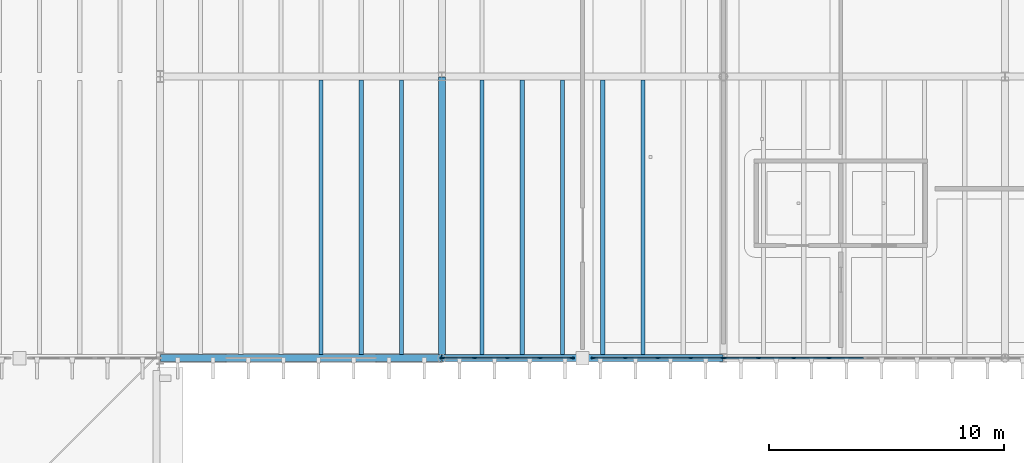
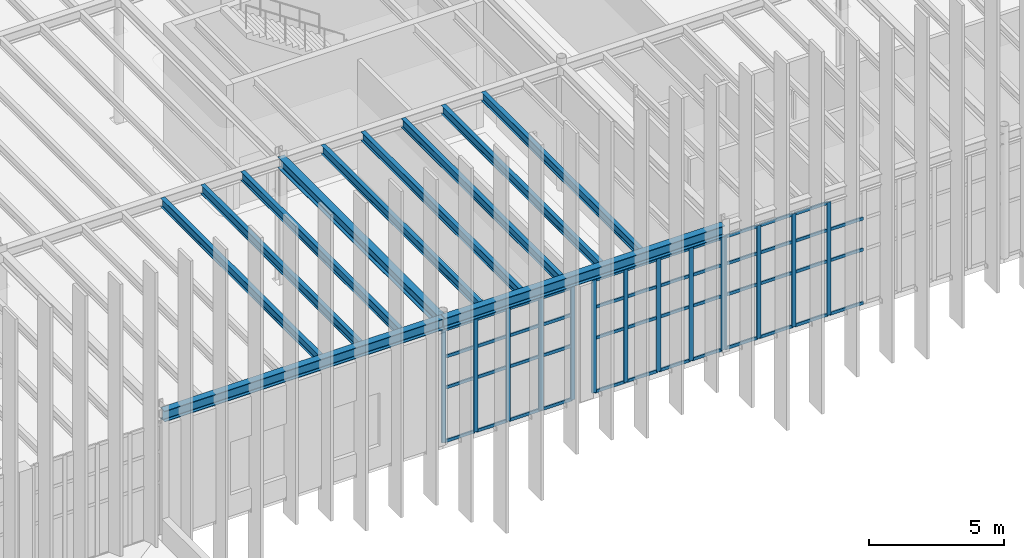
# One storey, part 17 of 83: 61 members, 11 beams, 3 elements without a shape of their own.
"""IFC4 building model written with IfcOpenShell, lengths in metres."""

from ifc_helpers import new_model, si_unit, direction, frame, origin, origin_2d, place, context, subcontext, project, spatial, rectangle, i_section, extrude, material, layer, layer_set, material_profile, profile_set, type_object, element, aggregate, save


model = new_model("IFC4")

# Units and contexts
model_context = context("Model", 3, precision=1e-05, world=origin(), true_north=direction((0.0, 1.0)))
body_context = subcontext(model_context, "Body", "Model", "MODEL_VIEW")
ifc_project = project(units=[si_unit("LENGTHUNIT", "METRE"), si_unit("AREAUNIT", "SQUARE_METRE"), si_unit("VOLUMEUNIT", "CUBIC_METRE"), si_unit("PLANEANGLEUNIT", "RADIAN"), si_unit("MASSUNIT", "GRAM", prefix="KILO")], contexts=[model_context])

# Site, building, storey
site_placement = place(None, origin())
site = spatial("IfcSite", under=ifc_project, at=site_placement, CompositionType="ELEMENT")
building_placement = place(site_placement, origin())
building = spatial("IfcBuilding", under=site, at=building_placement, Name="Zlatogorsky Bluff Art Gallery", CompositionType="ELEMENT")
storey_placement = place(building_placement, frame((0.0, 0.0, 10.800048828125)))
storey = spatial("IfcBuildingStorey", under=building, at=storey_placement, Name="L02", CompositionType="ELEMENT", Elevation=10.800048828125)

# Beams
ifc_material_1 = material(Name="Steel S355", Category="steel")
ifc_material_profile_1 = material_profile(ifc_material_1, i_section(OverallWidth=0.300048828125, OverallDepth=0.489990234375, WebThickness=0.011962890625, FlangeThickness=0.02294921875, FilletRadius=0.027099609375, at=origin_2d()), Name="HEA 500")
ifc_profile_set_1 = profile_set([ifc_material_profile_1], Name="Steel S355")
beam_type_1 = type_object("IfcBeamType", Name="Beam BM-07 HEA 500", PredefinedType="BEAM", material=ifc_profile_set_1)
for number, where, z_axis, x_axis, name in (
    (1, (24.014892578125, 84.0, 5.445068359375), (1.0, 0.0, 0.0), (0.0, 1.0, 0.0), "Primary girder BM-07 L02 C-D/9"),
    (2, (36.014892578125, 84.0, 5.445068359375), (1.0, 0.0, 0.0), (0.0, 1.0, 0.0), "Primary girder BM-07 L02 D-E/9"),
    (3, (36.0, 84.014892578125, 5.445068359375), (0.0, 1.0, 0.0), (-1.0, 0.0, 0.0), "Primary girder BM-07 L02 D/9-10"),
):
    element("IfcBeam", number, at=place(storey_placement, frame(where, z_axis=z_axis, x_axis=x_axis)), inside=storey, type_object=beam_type_1, Name=name, PredefinedType="BEAM", context=body_context, shape_type="SweptSolid", body=[
        extrude(i_section(OverallWidth=0.300048828125, OverallDepth=0.489990234375, WebThickness=0.011962890625, FlangeThickness=0.02294921875, FilletRadius=0.027099609375, at=origin_2d()), origin(), (0.0, 0.0, 1.0), 11.97021484375),
    ])
ifc_material_profile_2 = material_profile(ifc_material_1, i_section(OverallWidth=0.179931640625, OverallDepth=0.39990234375, WebThickness=0.008544921875, FlangeThickness=0.013427734375, FilletRadius=0.02099609375, at=origin_2d()), Name="IPE 400")
ifc_profile_set_2 = profile_set([ifc_material_profile_2], Name="Steel S355")
beam_type_2 = type_object("IfcBeamType", Name="Beam JS-05 IPE 400", PredefinedType="JOIST", material=ifc_profile_set_2)
for number, where, z_axis, x_axis, name in (
    (4, (30.857177734375, 84.14990234375, 5.489990234375), (0.0, 1.0, 0.0), (-1.0, 0.0, 0.0), "Composite floor joist JS-05 L02 02.08.4"),
    (5, (32.571533203125, 84.14990234375, 5.489990234375), (0.0, 1.0, 0.0), (-1.0, 0.0, 0.0), "Composite floor joist JS-05 L02 02.08.5"),
    (6, (34.28564453125, 84.14990234375, 5.489990234375), (0.0, 1.0, 0.0), (-1.0, 0.0, 0.0), "Composite floor joist JS-05 L02 02.08.6"),
    (7, (37.71435546875, 84.14990234375, 5.489990234375), (0.0, 1.0, 0.0), (-1.0, 0.0, 0.0), "Composite floor joist JS-05 L02 03.08.1"),
    (8, (39.428466796875, 84.14990234375, 5.489990234375), (0.0, 1.0, 0.0), (-1.0, 0.0, 0.0), "Composite floor joist JS-05 L02 03.08.2"),
    (9, (41.142822265625, 84.14990234375, 5.489990234375), (0.0, 1.0, 0.0), (-1.0, 0.0, 0.0), "Composite floor joist JS-05 L02 03.08.3"),
    (10, (42.857177734375, 84.14990234375, 5.489990234375), (0.0, 1.0, 0.0), (-1.0, 0.0, 0.0), "Composite floor joist JS-05 L02 03.08.4"),
    (11, (44.571533203125, 84.14990234375, 5.489990234375), (0.0, 1.0, 0.0), (-1.0, 0.0, 0.0), "Composite floor joist JS-05 L02 03.08.5"),
):
    element("IfcBeam", number, at=place(storey_placement, frame(where, z_axis=z_axis, x_axis=x_axis)), inside=storey, type_object=beam_type_2, Name=name, PredefinedType="JOIST", context=body_context, shape_type="SweptSolid", body=[
        extrude(i_section(OverallWidth=0.179931640625, OverallDepth=0.39990234375, WebThickness=0.008544921875, FlangeThickness=0.013427734375, FilletRadius=0.02099609375, at=origin_2d()), origin(), (0.0, 0.0, 1.0), 11.7001953125),
    ])

# Curtain wall, members
ifc_material_2 = material(Name="Anodised Bronze Aluminium and Low-Iron Triple Glazing", Category="aluminium")
ifc_layer = layer(ifc_material_2, 0.179931640625)
ifc_layer_set = layer_set([ifc_layer], Name="Curtain Wall CW-01")
curtain_wall_type = type_object("IfcCurtainWallType", Name="Curtain Wall CW-01", PredefinedType="USERDEFINED", material=ifc_layer_set)
curtain_wall_1_placement = place(storey_placement, origin())
curtain_wall_1 = element("IfcCurtainWall", 12, at=curtain_wall_1_placement, inside=storey, type_object=curtain_wall_type, Name="Unitised curtain wall CW-01 L02 S 3.8-A", ObjectType="CURTAIN WALL", PredefinedType="USERDEFINED")
ifc_material_3 = material(Name="Anodised Bronze Aluminium", Category="aluminium")
ifc_material_profile_3 = material_profile(ifc_material_3, rectangle(XDim=0.06494140625, YDim=0.179931640625, at=origin_2d()), Name="ALU MULLION 65x180")
ifc_profile_set_3 = profile_set([ifc_material_profile_3], Name="Anodised Bronze Aluminium")
member_type_1 = type_object("IfcMemberType", Name="Curtain Mullion ML-01", PredefinedType="MULLION", material=ifc_profile_set_3)
member_1_placement = place(storey_placement, frame((36.032470703125, 84.0, 0.0), z_axis=(0.0, 0.0, 1.0), x_axis=(0.0, 1.0, 0.0)))
member_1 = element("IfcMember", 13, at=member_1_placement, type_object=member_type_1, Name="CW-01 mullion 1", PredefinedType="MULLION", context=body_context, shape_type="SweptSolid", body=[
    extrude(rectangle(XDim=0.06494140625, YDim=0.179931640625, at=origin_2d()), origin(), (0.0, 0.0, 1.0), 5.10986328125),
])
member_2_placement = place(storey_placement, frame((37.39501953125, 84.0, 0.0), z_axis=(0.0, 0.0, 1.0), x_axis=(0.0, 1.0, 0.0)))
member_2 = element("IfcMember", 14, at=member_2_placement, type_object=member_type_1, Name="CW-01 mullion 2", PredefinedType="MULLION", context=body_context, shape_type="SweptSolid", body=[
    extrude(rectangle(XDim=0.06494140625, YDim=0.179931640625, at=origin_2d()), origin(), (0.0, 0.0, 1.0), 5.10986328125),
])
member_3_placement = place(storey_placement, frame((38.7900390625, 84.0, 0.0), z_axis=(0.0, 0.0, 1.0), x_axis=(0.0, 1.0, 0.0)))
member_3 = element("IfcMember", 15, at=member_3_placement, type_object=member_type_1, Name="CW-01 mullion 3", PredefinedType="MULLION", context=body_context, shape_type="SweptSolid", body=[
    extrude(rectangle(XDim=0.06494140625, YDim=0.179931640625, at=origin_2d()), origin(), (0.0, 0.0, 1.0), 5.10986328125),
])
member_4_placement = place(storey_placement, frame((40.18505859375, 84.0, 0.0), z_axis=(0.0, 0.0, 1.0), x_axis=(0.0, 1.0, 0.0)))
member_4 = element("IfcMember", 16, at=member_4_placement, type_object=member_type_1, Name="CW-01 mullion 4", PredefinedType="MULLION", context=body_context, shape_type="SweptSolid", body=[
    extrude(rectangle(XDim=0.06494140625, YDim=0.179931640625, at=origin_2d()), origin(), (0.0, 0.0, 1.0), 5.10986328125),
])
member_5_placement = place(storey_placement, frame((41.547607421875, 84.0, 0.0), z_axis=(0.0, 0.0, 1.0), x_axis=(0.0, 1.0, 0.0)))
member_5 = element("IfcMember", 17, at=member_5_placement, type_object=member_type_1, Name="CW-01 mullion 5", PredefinedType="MULLION", context=body_context, shape_type="SweptSolid", body=[
    extrude(rectangle(XDim=0.06494140625, YDim=0.179931640625, at=origin_2d()), origin(), (0.0, 0.0, 1.0), 5.10986328125),
])

curtain_wall_2_placement = place(storey_placement, origin())
curtain_wall_2 = element("IfcCurtainWall", 18, at=curtain_wall_2_placement, inside=storey, type_object=curtain_wall_type, Name="Unitised curtain wall CW-01 L02 S 3.8-B", ObjectType="CURTAIN WALL", PredefinedType="USERDEFINED")
member_6_placement = place(storey_placement, frame((42.452392578125, 84.0, 0.0), z_axis=(0.0, 0.0, 1.0), x_axis=(0.0, 1.0, 0.0)))
member_6 = element("IfcMember", 19, at=member_6_placement, type_object=member_type_1, Name="CW-01 mullion 1", PredefinedType="MULLION", context=body_context, shape_type="SweptSolid", body=[
    extrude(rectangle(XDim=0.06494140625, YDim=0.179931640625, at=origin_2d()), origin(), (0.0, 0.0, 1.0), 5.10986328125),
])
member_7_placement = place(storey_placement, frame((43.81494140625, 84.0, 0.0), z_axis=(0.0, 0.0, 1.0), x_axis=(0.0, 1.0, 0.0)))
member_7 = element("IfcMember", 20, at=member_7_placement, type_object=member_type_1, Name="CW-01 mullion 2", PredefinedType="MULLION", context=body_context, shape_type="SweptSolid", body=[
    extrude(rectangle(XDim=0.06494140625, YDim=0.179931640625, at=origin_2d()), origin(), (0.0, 0.0, 1.0), 5.10986328125),
])
member_8_placement = place(storey_placement, frame((45.2099609375, 84.0, 0.0), z_axis=(0.0, 0.0, 1.0), x_axis=(0.0, 1.0, 0.0)))
member_8 = element("IfcMember", 21, at=member_8_placement, type_object=member_type_1, Name="CW-01 mullion 3", PredefinedType="MULLION", context=body_context, shape_type="SweptSolid", body=[
    extrude(rectangle(XDim=0.06494140625, YDim=0.179931640625, at=origin_2d()), origin(), (0.0, 0.0, 1.0), 5.10986328125),
])
member_9_placement = place(storey_placement, frame((46.60498046875, 84.0, 0.0), z_axis=(0.0, 0.0, 1.0), x_axis=(0.0, 1.0, 0.0)))
member_9 = element("IfcMember", 22, at=member_9_placement, type_object=member_type_1, Name="CW-01 mullion 4", PredefinedType="MULLION", context=body_context, shape_type="SweptSolid", body=[
    extrude(rectangle(XDim=0.06494140625, YDim=0.179931640625, at=origin_2d()), origin(), (0.0, 0.0, 1.0), 5.10986328125),
])
member_10_placement = place(storey_placement, frame((47.967529296875, 84.0, 0.0), z_axis=(0.0, 0.0, 1.0), x_axis=(0.0, 1.0, 0.0)))
member_10 = element("IfcMember", 23, at=member_10_placement, type_object=member_type_1, Name="CW-01 mullion 5", PredefinedType="MULLION", context=body_context, shape_type="SweptSolid", body=[
    extrude(rectangle(XDim=0.06494140625, YDim=0.179931640625, at=origin_2d()), origin(), (0.0, 0.0, 1.0), 5.10986328125),
])

curtain_wall_3_placement = place(storey_placement, origin())
curtain_wall_3 = element("IfcCurtainWall", 24, at=curtain_wall_3_placement, inside=storey, type_object=curtain_wall_type, Name="Unitised curtain wall CW-01 L02 S 4.8", ObjectType="CURTAIN WALL", PredefinedType="USERDEFINED")
member_11_placement = place(storey_placement, frame((48.032470703125, 84.0, 0.0), z_axis=(0.0, 0.0, 1.0), x_axis=(0.0, 1.0, 0.0)))
member_11 = element("IfcMember", 25, at=member_11_placement, type_object=member_type_1, Name="CW-01 mullion 1", PredefinedType="MULLION", context=body_context, shape_type="SweptSolid", body=[
    extrude(rectangle(XDim=0.06494140625, YDim=0.179931640625, at=origin_2d()), origin(), (0.0, 0.0, 1.0), 5.10986328125),
])
member_12_placement = place(storey_placement, frame((49.5, 84.0, 0.0), z_axis=(0.0, 0.0, 1.0), x_axis=(0.0, 1.0, 0.0)))
member_12 = element("IfcMember", 26, at=member_12_placement, type_object=member_type_1, Name="CW-01 mullion 2", PredefinedType="MULLION", context=body_context, shape_type="SweptSolid", body=[
    extrude(rectangle(XDim=0.06494140625, YDim=0.179931640625, at=origin_2d()), origin(), (0.0, 0.0, 1.0), 5.10986328125),
])
member_13_placement = place(storey_placement, frame((51.0, 84.0, 0.0), z_axis=(0.0, 0.0, 1.0), x_axis=(0.0, 1.0, 0.0)))
member_13 = element("IfcMember", 27, at=member_13_placement, type_object=member_type_1, Name="CW-01 mullion 3", PredefinedType="MULLION", context=body_context, shape_type="SweptSolid", body=[
    extrude(rectangle(XDim=0.06494140625, YDim=0.179931640625, at=origin_2d()), origin(), (0.0, 0.0, 1.0), 5.10986328125),
])
member_14_placement = place(storey_placement, frame((52.5, 84.0, 0.0), z_axis=(0.0, 0.0, 1.0), x_axis=(0.0, 1.0, 0.0)))
member_14 = element("IfcMember", 28, at=member_14_placement, type_object=member_type_1, Name="CW-01 mullion 4", PredefinedType="MULLION", context=body_context, shape_type="SweptSolid", body=[
    extrude(rectangle(XDim=0.06494140625, YDim=0.179931640625, at=origin_2d()), origin(), (0.0, 0.0, 1.0), 5.10986328125),
])

# Member
ifc_material_profile_4 = material_profile(ifc_material_3, rectangle(XDim=0.06494140625, YDim=0.139892578125, at=origin_2d()), Name="ALU TRANSOM 65x140")
ifc_profile_set_4 = profile_set([ifc_material_profile_4], Name="Anodised Bronze Aluminium")
member_type_2 = type_object("IfcMemberType", Name="Curtain Transom TR-01", PredefinedType="USERDEFINED", material=ifc_profile_set_4)
member_15_placement = place(storey_placement, frame((36.06494140625, 84.0, 0.032470703125), z_axis=(1.0, 0.0, 0.0), x_axis=(0.0, 1.0, 0.0)))
member_15 = element("IfcMember", 29, at=member_15_placement, type_object=member_type_2, Name="CW-01 transom 1.1", ObjectType="TRANSOM", PredefinedType="USERDEFINED", context=body_context, shape_type="SweptSolid", body=[
    extrude(rectangle(XDim=0.06494140625, YDim=0.139892578125, at=origin_2d()), origin(), (0.0, 0.0, 1.0), 1.297607421875),
])

member_16_placement = place(storey_placement, frame((36.06494140625, 84.0, 2.449951171875), z_axis=(1.0, 0.0, 0.0), x_axis=(0.0, 1.0, 0.0)))
member_16 = element("IfcMember", 30, at=member_16_placement, type_object=member_type_2, Name="CW-01 transom 1.2", ObjectType="TRANSOM", PredefinedType="USERDEFINED", context=body_context, shape_type="SweptSolid", body=[
    extrude(rectangle(XDim=0.06494140625, YDim=0.139892578125, at=origin_2d()), origin(), (0.0, 0.0, 1.0), 1.297607421875),
])

member_17_placement = place(storey_placement, frame((36.06494140625, 84.0, 3.849853515625), z_axis=(1.0, 0.0, 0.0), x_axis=(0.0, 1.0, 0.0)))
member_17 = element("IfcMember", 31, at=member_17_placement, type_object=member_type_2, Name="CW-01 transom 1.3", ObjectType="TRANSOM", PredefinedType="USERDEFINED", context=body_context, shape_type="SweptSolid", body=[
    extrude(rectangle(XDim=0.06494140625, YDim=0.139892578125, at=origin_2d()), origin(), (0.0, 0.0, 1.0), 1.297607421875),
])

member_18_placement = place(storey_placement, frame((36.06494140625, 84.0, 5.077392578125), z_axis=(1.0, 0.0, 0.0), x_axis=(0.0, 1.0, 0.0)))
member_18 = element("IfcMember", 32, at=member_18_placement, type_object=member_type_2, Name="CW-01 transom 1.4", ObjectType="TRANSOM", PredefinedType="USERDEFINED", context=body_context, shape_type="SweptSolid", body=[
    extrude(rectangle(XDim=0.06494140625, YDim=0.139892578125, at=origin_2d()), origin(), (0.0, 0.0, 1.0), 1.297607421875),
])

member_19_placement = place(storey_placement, frame((37.427490234375, 84.0, 0.032470703125), z_axis=(1.0, 0.0, 0.0), x_axis=(0.0, 1.0, 0.0)))
member_19 = element("IfcMember", 33, at=member_19_placement, type_object=member_type_2, Name="CW-01 transom 2.1", ObjectType="TRANSOM", PredefinedType="USERDEFINED", context=body_context, shape_type="SweptSolid", body=[
    extrude(rectangle(XDim=0.06494140625, YDim=0.139892578125, at=origin_2d()), origin(), (0.0, 0.0, 1.0), 1.330078125),
])

member_20_placement = place(storey_placement, frame((37.427490234375, 84.0, 2.449951171875), z_axis=(1.0, 0.0, 0.0), x_axis=(0.0, 1.0, 0.0)))
member_20 = element("IfcMember", 34, at=member_20_placement, type_object=member_type_2, Name="CW-01 transom 2.2", ObjectType="TRANSOM", PredefinedType="USERDEFINED", context=body_context, shape_type="SweptSolid", body=[
    extrude(rectangle(XDim=0.06494140625, YDim=0.139892578125, at=origin_2d()), origin(), (0.0, 0.0, 1.0), 1.330078125),
])

member_21_placement = place(storey_placement, frame((37.427490234375, 84.0, 3.849853515625), z_axis=(1.0, 0.0, 0.0), x_axis=(0.0, 1.0, 0.0)))
member_21 = element("IfcMember", 35, at=member_21_placement, type_object=member_type_2, Name="CW-01 transom 2.3", ObjectType="TRANSOM", PredefinedType="USERDEFINED", context=body_context, shape_type="SweptSolid", body=[
    extrude(rectangle(XDim=0.06494140625, YDim=0.139892578125, at=origin_2d()), origin(), (0.0, 0.0, 1.0), 1.330078125),
])

member_22_placement = place(storey_placement, frame((37.427490234375, 84.0, 5.077392578125), z_axis=(1.0, 0.0, 0.0), x_axis=(0.0, 1.0, 0.0)))
member_22 = element("IfcMember", 36, at=member_22_placement, type_object=member_type_2, Name="CW-01 transom 2.4", ObjectType="TRANSOM", PredefinedType="USERDEFINED", context=body_context, shape_type="SweptSolid", body=[
    extrude(rectangle(XDim=0.06494140625, YDim=0.139892578125, at=origin_2d()), origin(), (0.0, 0.0, 1.0), 1.330078125),
])

member_23_placement = place(storey_placement, frame((38.822509765625, 84.0, 0.032470703125), z_axis=(1.0, 0.0, 0.0), x_axis=(0.0, 1.0, 0.0)))
member_23 = element("IfcMember", 37, at=member_23_placement, type_object=member_type_2, Name="CW-01 transom 3.1", ObjectType="TRANSOM", PredefinedType="USERDEFINED", context=body_context, shape_type="SweptSolid", body=[
    extrude(rectangle(XDim=0.06494140625, YDim=0.139892578125, at=origin_2d()), origin(), (0.0, 0.0, 1.0), 1.330078125),
])

member_24_placement = place(storey_placement, frame((38.822509765625, 84.0, 2.449951171875), z_axis=(1.0, 0.0, 0.0), x_axis=(0.0, 1.0, 0.0)))
member_24 = element("IfcMember", 38, at=member_24_placement, type_object=member_type_2, Name="CW-01 transom 3.2", ObjectType="TRANSOM", PredefinedType="USERDEFINED", context=body_context, shape_type="SweptSolid", body=[
    extrude(rectangle(XDim=0.06494140625, YDim=0.139892578125, at=origin_2d()), origin(), (0.0, 0.0, 1.0), 1.330078125),
])

member_25_placement = place(storey_placement, frame((38.822509765625, 84.0, 3.849853515625), z_axis=(1.0, 0.0, 0.0), x_axis=(0.0, 1.0, 0.0)))
member_25 = element("IfcMember", 39, at=member_25_placement, type_object=member_type_2, Name="CW-01 transom 3.3", ObjectType="TRANSOM", PredefinedType="USERDEFINED", context=body_context, shape_type="SweptSolid", body=[
    extrude(rectangle(XDim=0.06494140625, YDim=0.139892578125, at=origin_2d()), origin(), (0.0, 0.0, 1.0), 1.330078125),
])

member_26_placement = place(storey_placement, frame((38.822509765625, 84.0, 5.077392578125), z_axis=(1.0, 0.0, 0.0), x_axis=(0.0, 1.0, 0.0)))
member_26 = element("IfcMember", 40, at=member_26_placement, type_object=member_type_2, Name="CW-01 transom 3.4", ObjectType="TRANSOM", PredefinedType="USERDEFINED", context=body_context, shape_type="SweptSolid", body=[
    extrude(rectangle(XDim=0.06494140625, YDim=0.139892578125, at=origin_2d()), origin(), (0.0, 0.0, 1.0), 1.330078125),
])

member_27_placement = place(storey_placement, frame((40.217529296875, 84.0, 0.032470703125), z_axis=(1.0, 0.0, 0.0), x_axis=(0.0, 1.0, 0.0)))
member_27 = element("IfcMember", 41, at=member_27_placement, type_object=member_type_2, Name="CW-01 transom 4.1", ObjectType="TRANSOM", PredefinedType="USERDEFINED", context=body_context, shape_type="SweptSolid", body=[
    extrude(rectangle(XDim=0.06494140625, YDim=0.139892578125, at=origin_2d()), origin(), (0.0, 0.0, 1.0), 1.29736328125),
])

member_28_placement = place(storey_placement, frame((40.217529296875, 84.0, 2.449951171875), z_axis=(1.0, 0.0, 0.0), x_axis=(0.0, 1.0, 0.0)))
member_28 = element("IfcMember", 42, at=member_28_placement, type_object=member_type_2, Name="CW-01 transom 4.2", ObjectType="TRANSOM", PredefinedType="USERDEFINED", context=body_context, shape_type="SweptSolid", body=[
    extrude(rectangle(XDim=0.06494140625, YDim=0.139892578125, at=origin_2d()), origin(), (0.0, 0.0, 1.0), 1.29736328125),
])

member_29_placement = place(storey_placement, frame((40.217529296875, 84.0, 3.849853515625), z_axis=(1.0, 0.0, 0.0), x_axis=(0.0, 1.0, 0.0)))
member_29 = element("IfcMember", 43, at=member_29_placement, type_object=member_type_2, Name="CW-01 transom 4.3", ObjectType="TRANSOM", PredefinedType="USERDEFINED", context=body_context, shape_type="SweptSolid", body=[
    extrude(rectangle(XDim=0.06494140625, YDim=0.139892578125, at=origin_2d()), origin(), (0.0, 0.0, 1.0), 1.29736328125),
])

member_30_placement = place(storey_placement, frame((40.217529296875, 84.0, 5.077392578125), z_axis=(1.0, 0.0, 0.0), x_axis=(0.0, 1.0, 0.0)))
member_30 = element("IfcMember", 44, at=member_30_placement, type_object=member_type_2, Name="CW-01 transom 4.4", ObjectType="TRANSOM", PredefinedType="USERDEFINED", context=body_context, shape_type="SweptSolid", body=[
    extrude(rectangle(XDim=0.06494140625, YDim=0.139892578125, at=origin_2d()), origin(), (0.0, 0.0, 1.0), 1.29736328125),
])

aggregate(curtain_wall_1, [member_1, member_2, member_3, member_4, member_5, member_15, member_16, member_17, member_18, member_19, member_20, member_21, member_22, member_23, member_24, member_25, member_26, member_27, member_28, member_29, member_30])

member_31_placement = place(storey_placement, frame((42.485107421875, 84.0, 0.032470703125), z_axis=(1.0, 0.0, 0.0), x_axis=(0.0, 1.0, 0.0)))
member_31 = element("IfcMember", 45, at=member_31_placement, type_object=member_type_2, Name="CW-01 transom 1.1", ObjectType="TRANSOM", PredefinedType="USERDEFINED", context=body_context, shape_type="SweptSolid", body=[
    extrude(rectangle(XDim=0.06494140625, YDim=0.139892578125, at=origin_2d()), origin(), (0.0, 0.0, 1.0), 1.29736328125),
])

member_32_placement = place(storey_placement, frame((42.485107421875, 84.0, 2.449951171875), z_axis=(1.0, 0.0, 0.0), x_axis=(0.0, 1.0, 0.0)))
member_32 = element("IfcMember", 46, at=member_32_placement, type_object=member_type_2, Name="CW-01 transom 1.2", ObjectType="TRANSOM", PredefinedType="USERDEFINED", context=body_context, shape_type="SweptSolid", body=[
    extrude(rectangle(XDim=0.06494140625, YDim=0.139892578125, at=origin_2d()), origin(), (0.0, 0.0, 1.0), 1.29736328125),
])

member_33_placement = place(storey_placement, frame((42.485107421875, 84.0, 3.849853515625), z_axis=(1.0, 0.0, 0.0), x_axis=(0.0, 1.0, 0.0)))
member_33 = element("IfcMember", 47, at=member_33_placement, type_object=member_type_2, Name="CW-01 transom 1.3", ObjectType="TRANSOM", PredefinedType="USERDEFINED", context=body_context, shape_type="SweptSolid", body=[
    extrude(rectangle(XDim=0.06494140625, YDim=0.139892578125, at=origin_2d()), origin(), (0.0, 0.0, 1.0), 1.29736328125),
])

member_34_placement = place(storey_placement, frame((42.485107421875, 84.0, 5.077392578125), z_axis=(1.0, 0.0, 0.0), x_axis=(0.0, 1.0, 0.0)))
member_34 = element("IfcMember", 48, at=member_34_placement, type_object=member_type_2, Name="CW-01 transom 1.4", ObjectType="TRANSOM", PredefinedType="USERDEFINED", context=body_context, shape_type="SweptSolid", body=[
    extrude(rectangle(XDim=0.06494140625, YDim=0.139892578125, at=origin_2d()), origin(), (0.0, 0.0, 1.0), 1.29736328125),
])

member_35_placement = place(storey_placement, frame((43.847412109375, 84.0, 0.032470703125), z_axis=(1.0, 0.0, 0.0), x_axis=(0.0, 1.0, 0.0)))
member_35 = element("IfcMember", 49, at=member_35_placement, type_object=member_type_2, Name="CW-01 transom 2.1", ObjectType="TRANSOM", PredefinedType="USERDEFINED", context=body_context, shape_type="SweptSolid", body=[
    extrude(rectangle(XDim=0.06494140625, YDim=0.139892578125, at=origin_2d()), origin(), (0.0, 0.0, 1.0), 1.330078125),
])

member_36_placement = place(storey_placement, frame((43.847412109375, 84.0, 2.449951171875), z_axis=(1.0, 0.0, 0.0), x_axis=(0.0, 1.0, 0.0)))
member_36 = element("IfcMember", 50, at=member_36_placement, type_object=member_type_2, Name="CW-01 transom 2.2", ObjectType="TRANSOM", PredefinedType="USERDEFINED", context=body_context, shape_type="SweptSolid", body=[
    extrude(rectangle(XDim=0.06494140625, YDim=0.139892578125, at=origin_2d()), origin(), (0.0, 0.0, 1.0), 1.330078125),
])

member_37_placement = place(storey_placement, frame((43.847412109375, 84.0, 3.849853515625), z_axis=(1.0, 0.0, 0.0), x_axis=(0.0, 1.0, 0.0)))
member_37 = element("IfcMember", 51, at=member_37_placement, type_object=member_type_2, Name="CW-01 transom 2.3", ObjectType="TRANSOM", PredefinedType="USERDEFINED", context=body_context, shape_type="SweptSolid", body=[
    extrude(rectangle(XDim=0.06494140625, YDim=0.139892578125, at=origin_2d()), origin(), (0.0, 0.0, 1.0), 1.330078125),
])

member_38_placement = place(storey_placement, frame((43.847412109375, 84.0, 5.077392578125), z_axis=(1.0, 0.0, 0.0), x_axis=(0.0, 1.0, 0.0)))
member_38 = element("IfcMember", 52, at=member_38_placement, type_object=member_type_2, Name="CW-01 transom 2.4", ObjectType="TRANSOM", PredefinedType="USERDEFINED", context=body_context, shape_type="SweptSolid", body=[
    extrude(rectangle(XDim=0.06494140625, YDim=0.139892578125, at=origin_2d()), origin(), (0.0, 0.0, 1.0), 1.330078125),
])

member_39_placement = place(storey_placement, frame((45.242431640625, 84.0, 0.032470703125), z_axis=(1.0, 0.0, 0.0), x_axis=(0.0, 1.0, 0.0)))
member_39 = element("IfcMember", 53, at=member_39_placement, type_object=member_type_2, Name="CW-01 transom 3.1", ObjectType="TRANSOM", PredefinedType="USERDEFINED", context=body_context, shape_type="SweptSolid", body=[
    extrude(rectangle(XDim=0.06494140625, YDim=0.139892578125, at=origin_2d()), origin(), (0.0, 0.0, 1.0), 1.330078125),
])

member_40_placement = place(storey_placement, frame((45.242431640625, 84.0, 2.449951171875), z_axis=(1.0, 0.0, 0.0), x_axis=(0.0, 1.0, 0.0)))
member_40 = element("IfcMember", 54, at=member_40_placement, type_object=member_type_2, Name="CW-01 transom 3.2", ObjectType="TRANSOM", PredefinedType="USERDEFINED", context=body_context, shape_type="SweptSolid", body=[
    extrude(rectangle(XDim=0.06494140625, YDim=0.139892578125, at=origin_2d()), origin(), (0.0, 0.0, 1.0), 1.330078125),
])

member_41_placement = place(storey_placement, frame((45.242431640625, 84.0, 3.849853515625), z_axis=(1.0, 0.0, 0.0), x_axis=(0.0, 1.0, 0.0)))
member_41 = element("IfcMember", 55, at=member_41_placement, type_object=member_type_2, Name="CW-01 transom 3.3", ObjectType="TRANSOM", PredefinedType="USERDEFINED", context=body_context, shape_type="SweptSolid", body=[
    extrude(rectangle(XDim=0.06494140625, YDim=0.139892578125, at=origin_2d()), origin(), (0.0, 0.0, 1.0), 1.330078125),
])

member_42_placement = place(storey_placement, frame((45.242431640625, 84.0, 5.077392578125), z_axis=(1.0, 0.0, 0.0), x_axis=(0.0, 1.0, 0.0)))
member_42 = element("IfcMember", 56, at=member_42_placement, type_object=member_type_2, Name="CW-01 transom 3.4", ObjectType="TRANSOM", PredefinedType="USERDEFINED", context=body_context, shape_type="SweptSolid", body=[
    extrude(rectangle(XDim=0.06494140625, YDim=0.139892578125, at=origin_2d()), origin(), (0.0, 0.0, 1.0), 1.330078125),
])

member_43_placement = place(storey_placement, frame((46.637451171875, 84.0, 0.032470703125), z_axis=(1.0, 0.0, 0.0), x_axis=(0.0, 1.0, 0.0)))
member_43 = element("IfcMember", 57, at=member_43_placement, type_object=member_type_2, Name="CW-01 transom 4.1", ObjectType="TRANSOM", PredefinedType="USERDEFINED", context=body_context, shape_type="SweptSolid", body=[
    extrude(rectangle(XDim=0.06494140625, YDim=0.139892578125, at=origin_2d()), origin(), (0.0, 0.0, 1.0), 1.297607421875),
])

member_44_placement = place(storey_placement, frame((46.637451171875, 84.0, 2.449951171875), z_axis=(1.0, 0.0, 0.0), x_axis=(0.0, 1.0, 0.0)))
member_44 = element("IfcMember", 58, at=member_44_placement, type_object=member_type_2, Name="CW-01 transom 4.2", ObjectType="TRANSOM", PredefinedType="USERDEFINED", context=body_context, shape_type="SweptSolid", body=[
    extrude(rectangle(XDim=0.06494140625, YDim=0.139892578125, at=origin_2d()), origin(), (0.0, 0.0, 1.0), 1.297607421875),
])

member_45_placement = place(storey_placement, frame((46.637451171875, 84.0, 3.849853515625), z_axis=(1.0, 0.0, 0.0), x_axis=(0.0, 1.0, 0.0)))
member_45 = element("IfcMember", 59, at=member_45_placement, type_object=member_type_2, Name="CW-01 transom 4.3", ObjectType="TRANSOM", PredefinedType="USERDEFINED", context=body_context, shape_type="SweptSolid", body=[
    extrude(rectangle(XDim=0.06494140625, YDim=0.139892578125, at=origin_2d()), origin(), (0.0, 0.0, 1.0), 1.297607421875),
])

member_46_placement = place(storey_placement, frame((46.637451171875, 84.0, 5.077392578125), z_axis=(1.0, 0.0, 0.0), x_axis=(0.0, 1.0, 0.0)))
member_46 = element("IfcMember", 60, at=member_46_placement, type_object=member_type_2, Name="CW-01 transom 4.4", ObjectType="TRANSOM", PredefinedType="USERDEFINED", context=body_context, shape_type="SweptSolid", body=[
    extrude(rectangle(XDim=0.06494140625, YDim=0.139892578125, at=origin_2d()), origin(), (0.0, 0.0, 1.0), 1.297607421875),
])

aggregate(curtain_wall_2, [member_6, member_7, member_8, member_9, member_10, member_31, member_32, member_33, member_34, member_35, member_36, member_37, member_38, member_39, member_40, member_41, member_42, member_43, member_44, member_45, member_46])

member_47_placement = place(storey_placement, frame((48.06494140625, 84.0, 0.032470703125), z_axis=(1.0, 0.0, 0.0), x_axis=(0.0, 1.0, 0.0)))
member_47 = element("IfcMember", 61, at=member_47_placement, type_object=member_type_2, Name="CW-01 transom 1.1", ObjectType="TRANSOM", PredefinedType="USERDEFINED", context=body_context, shape_type="SweptSolid", body=[
    extrude(rectangle(XDim=0.06494140625, YDim=0.139892578125, at=origin_2d()), origin(), (0.0, 0.0, 1.0), 1.402587890625),
])

member_48_placement = place(storey_placement, frame((48.06494140625, 84.0, 2.449951171875), z_axis=(1.0, 0.0, 0.0), x_axis=(0.0, 1.0, 0.0)))
member_48 = element("IfcMember", 62, at=member_48_placement, type_object=member_type_2, Name="CW-01 transom 1.2", ObjectType="TRANSOM", PredefinedType="USERDEFINED", context=body_context, shape_type="SweptSolid", body=[
    extrude(rectangle(XDim=0.06494140625, YDim=0.139892578125, at=origin_2d()), origin(), (0.0, 0.0, 1.0), 1.402587890625),
])

member_49_placement = place(storey_placement, frame((48.06494140625, 84.0, 3.849853515625), z_axis=(1.0, 0.0, 0.0), x_axis=(0.0, 1.0, 0.0)))
member_49 = element("IfcMember", 63, at=member_49_placement, type_object=member_type_2, Name="CW-01 transom 1.3", ObjectType="TRANSOM", PredefinedType="USERDEFINED", context=body_context, shape_type="SweptSolid", body=[
    extrude(rectangle(XDim=0.06494140625, YDim=0.139892578125, at=origin_2d()), origin(), (0.0, 0.0, 1.0), 1.402587890625),
])

member_50_placement = place(storey_placement, frame((48.06494140625, 84.0, 5.077392578125), z_axis=(1.0, 0.0, 0.0), x_axis=(0.0, 1.0, 0.0)))
member_50 = element("IfcMember", 64, at=member_50_placement, type_object=member_type_2, Name="CW-01 transom 1.4", ObjectType="TRANSOM", PredefinedType="USERDEFINED", context=body_context, shape_type="SweptSolid", body=[
    extrude(rectangle(XDim=0.06494140625, YDim=0.139892578125, at=origin_2d()), origin(), (0.0, 0.0, 1.0), 1.402587890625),
])

member_51_placement = place(storey_placement, frame((49.532470703125, 84.0, 0.032470703125), z_axis=(1.0, 0.0, 0.0), x_axis=(0.0, 1.0, 0.0)))
member_51 = element("IfcMember", 65, at=member_51_placement, type_object=member_type_2, Name="CW-01 transom 2.1", ObjectType="TRANSOM", PredefinedType="USERDEFINED", context=body_context, shape_type="SweptSolid", body=[
    extrude(rectangle(XDim=0.06494140625, YDim=0.139892578125, at=origin_2d()), origin(), (0.0, 0.0, 1.0), 1.43505859375),
])

member_52_placement = place(storey_placement, frame((49.532470703125, 84.0, 2.449951171875), z_axis=(1.0, 0.0, 0.0), x_axis=(0.0, 1.0, 0.0)))
member_52 = element("IfcMember", 66, at=member_52_placement, type_object=member_type_2, Name="CW-01 transom 2.2", ObjectType="TRANSOM", PredefinedType="USERDEFINED", context=body_context, shape_type="SweptSolid", body=[
    extrude(rectangle(XDim=0.06494140625, YDim=0.139892578125, at=origin_2d()), origin(), (0.0, 0.0, 1.0), 1.43505859375),
])

member_53_placement = place(storey_placement, frame((49.532470703125, 84.0, 3.849853515625), z_axis=(1.0, 0.0, 0.0), x_axis=(0.0, 1.0, 0.0)))
member_53 = element("IfcMember", 67, at=member_53_placement, type_object=member_type_2, Name="CW-01 transom 2.3", ObjectType="TRANSOM", PredefinedType="USERDEFINED", context=body_context, shape_type="SweptSolid", body=[
    extrude(rectangle(XDim=0.06494140625, YDim=0.139892578125, at=origin_2d()), origin(), (0.0, 0.0, 1.0), 1.43505859375),
])

member_54_placement = place(storey_placement, frame((49.532470703125, 84.0, 5.077392578125), z_axis=(1.0, 0.0, 0.0), x_axis=(0.0, 1.0, 0.0)))
member_54 = element("IfcMember", 68, at=member_54_placement, type_object=member_type_2, Name="CW-01 transom 2.4", ObjectType="TRANSOM", PredefinedType="USERDEFINED", context=body_context, shape_type="SweptSolid", body=[
    extrude(rectangle(XDim=0.06494140625, YDim=0.139892578125, at=origin_2d()), origin(), (0.0, 0.0, 1.0), 1.43505859375),
])

member_55_placement = place(storey_placement, frame((51.032470703125, 84.0, 0.032470703125), z_axis=(1.0, 0.0, 0.0), x_axis=(0.0, 1.0, 0.0)))
member_55 = element("IfcMember", 69, at=member_55_placement, type_object=member_type_2, Name="CW-01 transom 3.1", ObjectType="TRANSOM", PredefinedType="USERDEFINED", context=body_context, shape_type="SweptSolid", body=[
    extrude(rectangle(XDim=0.06494140625, YDim=0.139892578125, at=origin_2d()), origin(), (0.0, 0.0, 1.0), 1.43505859375),
])

member_56_placement = place(storey_placement, frame((51.032470703125, 84.0, 2.449951171875), z_axis=(1.0, 0.0, 0.0), x_axis=(0.0, 1.0, 0.0)))
member_56 = element("IfcMember", 70, at=member_56_placement, type_object=member_type_2, Name="CW-01 transom 3.2", ObjectType="TRANSOM", PredefinedType="USERDEFINED", context=body_context, shape_type="SweptSolid", body=[
    extrude(rectangle(XDim=0.06494140625, YDim=0.139892578125, at=origin_2d()), origin(), (0.0, 0.0, 1.0), 1.43505859375),
])

member_57_placement = place(storey_placement, frame((51.032470703125, 84.0, 3.849853515625), z_axis=(1.0, 0.0, 0.0), x_axis=(0.0, 1.0, 0.0)))
member_57 = element("IfcMember", 71, at=member_57_placement, type_object=member_type_2, Name="CW-01 transom 3.3", ObjectType="TRANSOM", PredefinedType="USERDEFINED", context=body_context, shape_type="SweptSolid", body=[
    extrude(rectangle(XDim=0.06494140625, YDim=0.139892578125, at=origin_2d()), origin(), (0.0, 0.0, 1.0), 1.43505859375),
])

member_58_placement = place(storey_placement, frame((51.032470703125, 84.0, 5.077392578125), z_axis=(1.0, 0.0, 0.0), x_axis=(0.0, 1.0, 0.0)))
member_58 = element("IfcMember", 72, at=member_58_placement, type_object=member_type_2, Name="CW-01 transom 3.4", ObjectType="TRANSOM", PredefinedType="USERDEFINED", context=body_context, shape_type="SweptSolid", body=[
    extrude(rectangle(XDim=0.06494140625, YDim=0.139892578125, at=origin_2d()), origin(), (0.0, 0.0, 1.0), 1.43505859375),
])

member_59_placement = place(storey_placement, frame((52.532470703125, 84.0, 0.032470703125), z_axis=(1.0, 0.0, 0.0), x_axis=(0.0, 1.0, 0.0)))
member_59 = element("IfcMember", 73, at=member_59_placement, type_object=member_type_2, Name="CW-01 transom 4.1", ObjectType="TRANSOM", PredefinedType="USERDEFINED", context=body_context, shape_type="SweptSolid", body=[
    extrude(rectangle(XDim=0.06494140625, YDim=0.139892578125, at=origin_2d()), origin(), (0.0, 0.0, 1.0), 1.43505859375),
])

member_60_placement = place(storey_placement, frame((52.532470703125, 84.0, 2.449951171875), z_axis=(1.0, 0.0, 0.0), x_axis=(0.0, 1.0, 0.0)))
member_60 = element("IfcMember", 74, at=member_60_placement, type_object=member_type_2, Name="CW-01 transom 4.2", ObjectType="TRANSOM", PredefinedType="USERDEFINED", context=body_context, shape_type="SweptSolid", body=[
    extrude(rectangle(XDim=0.06494140625, YDim=0.139892578125, at=origin_2d()), origin(), (0.0, 0.0, 1.0), 1.43505859375),
])

member_61_placement = place(storey_placement, frame((52.532470703125, 84.0, 3.849853515625), z_axis=(1.0, 0.0, 0.0), x_axis=(0.0, 1.0, 0.0)))
member_61 = element("IfcMember", 75, at=member_61_placement, type_object=member_type_2, Name="CW-01 transom 4.3", ObjectType="TRANSOM", PredefinedType="USERDEFINED", context=body_context, shape_type="SweptSolid", body=[
    extrude(rectangle(XDim=0.06494140625, YDim=0.139892578125, at=origin_2d()), origin(), (0.0, 0.0, 1.0), 1.43505859375),
])

aggregate(curtain_wall_3, [member_11, member_12, member_13, member_14, member_47, member_48, member_49, member_50, member_51, member_52, member_53, member_54, member_55, member_56, member_57, member_58, member_59, member_60, member_61])

save(model, "model.ifc")
